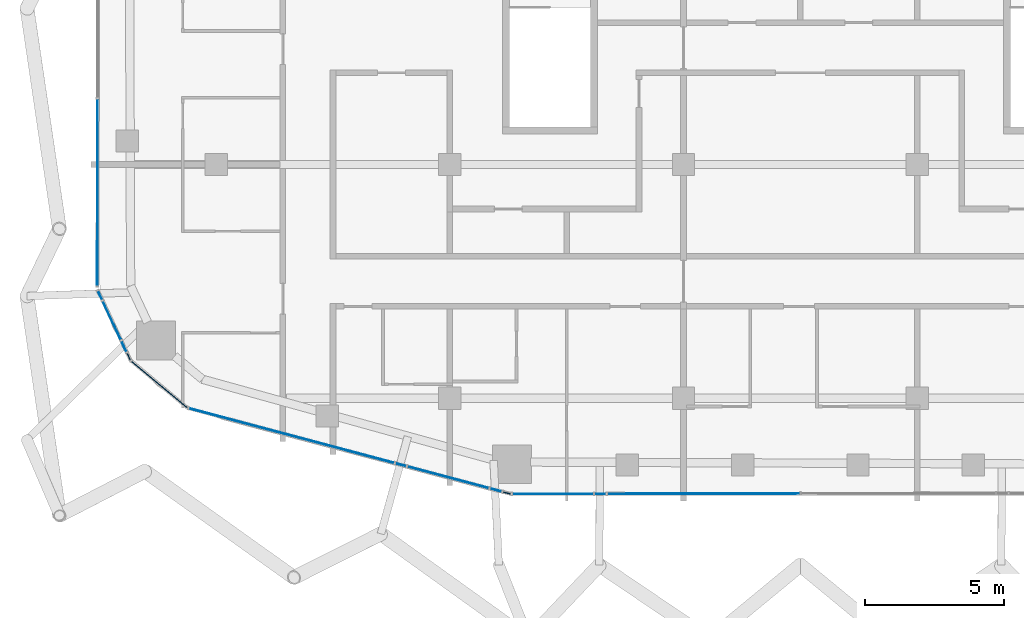
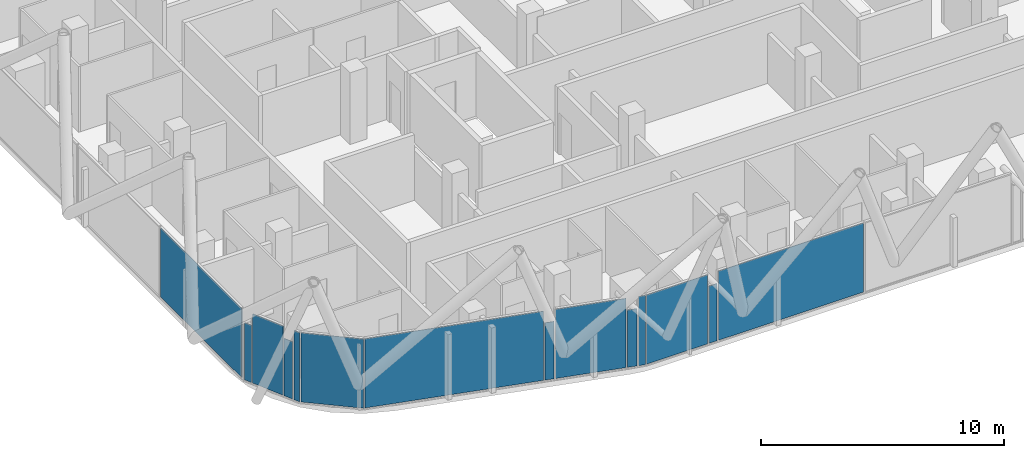
# One storey, part 16 of 33: 14 plates, 14 elements without a shape of their own.
"""IFC4 building model written with IfcOpenShell, lengths in metres."""

from ifc_helpers import new_model, si_unit, direction, frame, origin, origin_2d, place, context, subcontext, project, spatial, rectangle, extrude, material, layer, layer_set, type_object, element, aggregate, save


model = new_model("IFC4")

# Units and contexts
model_context = context("Model", 3, precision=1e-05, world=origin(), true_north=direction((0.0, 1.0)))
body_context = subcontext(model_context, "Body", "Model", "MODEL_VIEW")
ifc_project = project(units=[si_unit("LENGTHUNIT", "METRE"), si_unit("AREAUNIT", "SQUARE_METRE"), si_unit("VOLUMEUNIT", "CUBIC_METRE"), si_unit("PLANEANGLEUNIT", "RADIAN"), si_unit("MASSUNIT", "GRAM", prefix="KILO")], contexts=[model_context])

# Site, building, storey
site_placement = place(None, origin())
site = spatial("IfcSite", under=ifc_project, at=site_placement, CompositionType="ELEMENT")
building_placement = place(site_placement, origin())
building = spatial("IfcBuilding", under=site, at=building_placement, Name="Marenta Gate Hotel Tower", CompositionType="ELEMENT")
storey_placement = place(building_placement, frame((0.0, 0.0, 248.89990234375)))
storey = spatial("IfcBuildingStorey", under=building, at=storey_placement, Name="L59", CompositionType="ELEMENT", Elevation=248.89990234375)

# Curtain wall, plate
ifc_material_1 = material(Name="Tinted insulated glass in bronze anodised frame", Category="glass")
ifc_layer_1 = layer(ifc_material_1, 0.1201171875)
ifc_layer_set_1 = layer_set([ifc_layer_1], Name="Tinted insulated glass in bronze anodised frame")
curtain_wall_type = type_object("IfcCurtainWallType", Name="Tower unitised curtain wall CW1", PredefinedType="NOTDEFINED", material=ifc_layer_set_1)
curtain_wall_1_placement = place(storey_placement, origin())
curtain_wall_1 = element("IfcCurtainWall", 1, at=curtain_wall_1_placement, inside=storey, type_object=curtain_wall_type, Name="CW1 run G08", PredefinedType="NOTDEFINED")
ifc_material_2 = material(Name="Tinted insulated glass", Category="glass")
ifc_layer_2 = layer(ifc_material_2, 0.028076171875)
ifc_layer_set_2 = layer_set([ifc_layer_2], Name="Tinted insulated glass")
plate_type = type_object("IfcPlateType", Name="Glass panel CW1 28 mm tinted insulated unit", PredefinedType="CURTAIN_PANEL", material=ifc_layer_set_2)
plate_1_placement = place(storey_placement, frame((-25.267578125, -17.800537109375, 0.06005859375), z_axis=(0.0, 0.0, 1.0), x_axis=(-0.001564666982, -0.999998775908, 0.0)))
plate_1 = element("IfcPlate", 2, at=plate_1_placement, type_object=plate_type, Name="CW1 panel 3.1", PredefinedType="CURTAIN_PANEL", context=body_context, shape_type="SweptSolid", body=[
    extrude(rectangle(XDim=6.705810546875, YDim=0.028076171875, at=origin_2d()), origin(), (0.0, 0.0, 1.0), 3.47998046875),
])
aggregate(curtain_wall_1, [plate_1])

curtain_wall_2_placement = place(storey_placement, origin())
curtain_wall_2 = element("IfcCurtainWall", 3, at=curtain_wall_2_placement, inside=storey, type_object=curtain_wall_type, Name="CW1 run G09", PredefinedType="NOTDEFINED")
plate_2_placement = place(storey_placement, frame((-25.174560546875, -21.50439453125, 0.06005859375), z_axis=(0.0, 0.0, 1.0), x_axis=(0.423345141478, -0.905968482447, 0.0)))
plate_2 = element("IfcPlate", 4, at=plate_2_placement, type_object=plate_type, Name="CW1 panel 1.1", PredefinedType="CURTAIN_PANEL", context=body_context, shape_type="SweptSolid", body=[
    extrude(rectangle(XDim=0.344970703125, YDim=0.028076171875, at=origin_2d()), origin(), (0.0, 0.0, 1.0), 2.880615234375),
])
aggregate(curtain_wall_2, [plate_2])

curtain_wall_3_placement = place(storey_placement, origin())
curtain_wall_3 = element("IfcCurtainWall", 5, at=curtain_wall_3_placement, inside=storey, type_object=curtain_wall_type, Name="CW1 run G10", PredefinedType="NOTDEFINED")
plate_3_placement = place(storey_placement, frame((-24.75390625, -22.40478515625, 0.06005859375), z_axis=(0.0, 0.0, 1.0), x_axis=(0.423352323083, -0.905965126559, 0.0)))
plate_3 = element("IfcPlate", 6, at=plate_3_placement, type_object=plate_type, Name="CW1 panel 1.1", PredefinedType="CURTAIN_PANEL", context=body_context, shape_type="SweptSolid", body=[
    extrude(rectangle(XDim=1.522705078125, YDim=0.028076171875, at=origin_2d()), origin(), (0.0, 0.0, 1.0), 3.47998046875),
])
aggregate(curtain_wall_3, [plate_3])

curtain_wall_4_placement = place(storey_placement, origin())
curtain_wall_4 = element("IfcCurtainWall", 7, at=curtain_wall_4_placement, inside=storey, type_object=curtain_wall_type, Name="CW1 run G11", PredefinedType="NOTDEFINED")
plate_4_placement = place(storey_placement, frame((-24.317138671875, -23.339111328125, 0.06005859375), z_axis=(0.0, 0.0, 1.0), x_axis=(0.423387289241, -0.905948786251, 0.0)))
plate_4 = element("IfcPlate", 8, at=plate_4_placement, type_object=plate_type, Name="CW1 panel 1.1", PredefinedType="CURTAIN_PANEL", context=body_context, shape_type="SweptSolid", body=[
    extrude(rectangle(XDim=0.419921875, YDim=0.028076171875, at=origin_2d()), origin(), (0.0, 0.0, 1.0), 2.880615234375),
])
aggregate(curtain_wall_4, [plate_4])

curtain_wall_5_placement = place(storey_placement, origin())
curtain_wall_5 = element("IfcCurtainWall", 9, at=curtain_wall_5_placement, inside=storey, type_object=curtain_wall_type, Name="CW1 run G12", PredefinedType="NOTDEFINED")
plate_5_placement = place(storey_placement, frame((-24.142822265625, -23.712158203125, 0.06005859375), z_axis=(0.0, 0.0, 1.0), x_axis=(0.423188177285, -0.906041812836, 0.0)))
plate_5 = element("IfcPlate", 10, at=plate_5_placement, type_object=plate_type, Name="CW1 panel 1.1", PredefinedType="CURTAIN_PANEL", context=body_context, shape_type="SweptSolid", body=[
    extrude(rectangle(XDim=0.28369140625, YDim=0.028076171875, at=origin_2d()), origin(), (0.0, 0.0, 1.0), 3.47998046875),
])
aggregate(curtain_wall_5, [plate_5])

curtain_wall_6_placement = place(storey_placement, origin())
curtain_wall_6 = element("IfcCurtainWall", 11, at=curtain_wall_6_placement, inside=storey, type_object=curtain_wall_type, Name="CW1 run G13", PredefinedType="NOTDEFINED")
plate_6_placement = place(storey_placement, frame((-23.0361328125, -24.716064453125, 0.06005859375), z_axis=(0.0, 0.0, 1.0), x_axis=(0.767102345594, -0.641524739495, 0.0)))
plate_6 = element("IfcPlate", 12, at=plate_6_placement, type_object=plate_type, Name="CW1 panel 1.1", PredefinedType="CURTAIN_PANEL", context=body_context, shape_type="SweptSolid", body=[
    extrude(rectangle(XDim=2.609375, YDim=0.028076171875, at=origin_2d()), origin(), (0.0, 0.0, 1.0), 3.47998046875),
])
aggregate(curtain_wall_6, [plate_6])

curtain_wall_7_placement = place(storey_placement, origin())
curtain_wall_7 = element("IfcCurtainWall", 13, at=curtain_wall_7_placement, inside=storey, type_object=curtain_wall_type, Name="CW1 run G14", PredefinedType="NOTDEFINED")
plate_7_placement = place(storey_placement, frame((-18.292724609375, -26.548828125, 0.06005859375), z_axis=(0.0, 0.0, 1.0), x_axis=(0.966375170847, -0.257136207427, 0.0)))
plate_7 = element("IfcPlate", 14, at=plate_7_placement, type_object=plate_type, Name="CW1 panel 1.1", PredefinedType="CURTAIN_PANEL", context=body_context, shape_type="SweptSolid", body=[
    extrude(rectangle(XDim=7.62548828125, YDim=0.028076171875, at=origin_2d()), origin(), (0.0, 0.0, 1.0), 3.47998046875),
])
aggregate(curtain_wall_7, [plate_7])

curtain_wall_8_placement = place(storey_placement, origin())
curtain_wall_8 = element("IfcCurtainWall", 15, at=curtain_wall_8_placement, inside=storey, type_object=curtain_wall_type, Name="CW1 run G15", PredefinedType="NOTDEFINED")
plate_8_placement = place(storey_placement, frame((-14.3603515625, -27.59521484375, 0.06005859375), z_axis=(0.0, 0.0, 1.0), x_axis=(0.966370359942, -0.257154287199, 0.0)))
plate_8 = element("IfcPlate", 16, at=plate_8_placement, type_object=plate_type, Name="CW1 panel 1.1", PredefinedType="CURTAIN_PANEL", context=body_context, shape_type="SweptSolid", body=[
    extrude(rectangle(XDim=0.39306640625, YDim=0.028076171875, at=origin_2d()), origin(), (0.0, 0.0, 1.0), 2.880615234375),
])
aggregate(curtain_wall_8, [plate_8])

curtain_wall_9_placement = place(storey_placement, origin())
curtain_wall_9 = element("IfcCurtainWall", 17, at=curtain_wall_9_placement, inside=storey, type_object=curtain_wall_type, Name="CW1 run G16", PredefinedType="NOTDEFINED")
plate_9_placement = place(storey_placement, frame((-12.658203125, -28.048095703125, 0.06005859375), z_axis=(0.0, 0.0, 1.0), x_axis=(0.966378072173, -0.257125303349, 0.0)))
plate_9 = element("IfcPlate", 18, at=plate_9_placement, type_object=plate_type, Name="CW1 panel 1.1", PredefinedType="CURTAIN_PANEL", context=body_context, shape_type="SweptSolid", body=[
    extrude(rectangle(XDim=3.009765625, YDim=0.028076171875, at=origin_2d()), origin(), (0.0, 0.0, 1.0), 3.47998046875),
])
aggregate(curtain_wall_9, [plate_9])

curtain_wall_10_placement = place(storey_placement, origin())
curtain_wall_10 = element("IfcCurtainWall", 19, at=curtain_wall_10_placement, inside=storey, type_object=curtain_wall_type, Name="CW1 run G17", PredefinedType="NOTDEFINED")
plate_10_placement = place(storey_placement, frame((-10.9453125, -28.50390625, 0.06005859375), z_axis=(0.0, 0.0, 1.0), x_axis=(0.966384808868, -0.257099982864, 0.0)))
plate_10 = element("IfcPlate", 20, at=plate_10_placement, type_object=plate_type, Name="CW1 panel 1.1", PredefinedType="CURTAIN_PANEL", context=body_context, shape_type="SweptSolid", body=[
    extrude(rectangle(XDim=0.415771484375, YDim=0.028076171875, at=origin_2d()), origin(), (0.0, 0.0, 1.0), 2.880615234375),
])
aggregate(curtain_wall_10, [plate_10])

curtain_wall_11_placement = place(storey_placement, origin())
curtain_wall_11 = element("IfcCurtainWall", 21, at=curtain_wall_11_placement, inside=storey, type_object=curtain_wall_type, Name="CW1 run G18", PredefinedType="NOTDEFINED")
plate_11_placement = place(storey_placement, frame((-10.546142578125, -28.610107421875, 0.06005859375), z_axis=(0.0, 0.0, 1.0), x_axis=(0.966315487466, -0.257360406209, 0.0)))
plate_11 = element("IfcPlate", 22, at=plate_11_placement, type_object=plate_type, Name="CW1 panel 1.1", PredefinedType="CURTAIN_PANEL", context=body_context, shape_type="SweptSolid", body=[
    extrude(rectangle(XDim=0.2900390625, YDim=0.028076171875, at=origin_2d()), origin(), (0.0, 0.0, 1.0), 3.47998046875),
])
aggregate(curtain_wall_11, [plate_11])

curtain_wall_12_placement = place(storey_placement, origin())
curtain_wall_12 = element("IfcCurtainWall", 23, at=curtain_wall_12_placement, inside=storey, type_object=curtain_wall_type, Name="CW1 run G19", PredefinedType="NOTDEFINED")
plate_12_placement = place(storey_placement, frame((-8.894287109375, -28.64501953125, 0.06005859375), z_axis=(0.0, 0.0, 1.0), x_axis=(0.999998632869, 0.001653559645, 0.0)))
plate_12 = element("IfcPlate", 24, at=plate_12_placement, type_object=plate_type, Name="CW1 panel 1.1", PredefinedType="CURTAIN_PANEL", context=body_context, shape_type="SweptSolid", body=[
    extrude(rectangle(XDim=2.9033203125, YDim=0.028076171875, at=origin_2d()), origin(), (0.0, 0.0, 1.0), 3.47998046875),
])
aggregate(curtain_wall_12, [plate_12])

curtain_wall_13_placement = place(storey_placement, origin())
curtain_wall_13 = element("IfcCurtainWall", 25, at=curtain_wall_13_placement, inside=storey, type_object=curtain_wall_type, Name="CW1 run G20", PredefinedType="NOTDEFINED")
plate_13_placement = place(storey_placement, frame((-7.186279296875, -28.64208984375, 0.06005859375), z_axis=(0.0, 0.0, 1.0), x_axis=(0.999998440618, 0.001766001654, 0.0)))
plate_13 = element("IfcPlate", 26, at=plate_13_placement, type_object=plate_type, Name="CW1 panel 1.1", PredefinedType="CURTAIN_PANEL", context=body_context, shape_type="SweptSolid", body=[
    extrude(rectangle(XDim=0.39306640625, YDim=0.028076171875, at=origin_2d()), origin(), (0.0, 0.0, 1.0), 2.880615234375),
])
aggregate(curtain_wall_13, [plate_13])

curtain_wall_14_placement = place(storey_placement, origin())
curtain_wall_14 = element("IfcCurtainWall", 27, at=curtain_wall_14_placement, inside=storey, type_object=curtain_wall_type, Name="CW1 run G21", PredefinedType="NOTDEFINED")
plate_14_placement = place(storey_placement, frame((-3.474853515625, -28.635986328125, 0.06005859375), z_axis=(0.0, 0.0, 1.0), x_axis=(0.999998662069, 0.001635805569, 0.0)))
plate_14 = element("IfcPlate", 28, at=plate_14_placement, type_object=plate_type, Name="CW1 panel 1.1", PredefinedType="CURTAIN_PANEL", context=body_context, shape_type="SweptSolid", body=[
    extrude(rectangle(XDim=6.90966796875, YDim=0.028076171875, at=origin_2d()), origin(), (0.0, 0.0, 1.0), 3.47998046875),
])
aggregate(curtain_wall_14, [plate_14])

save(model, "model.ifc")
